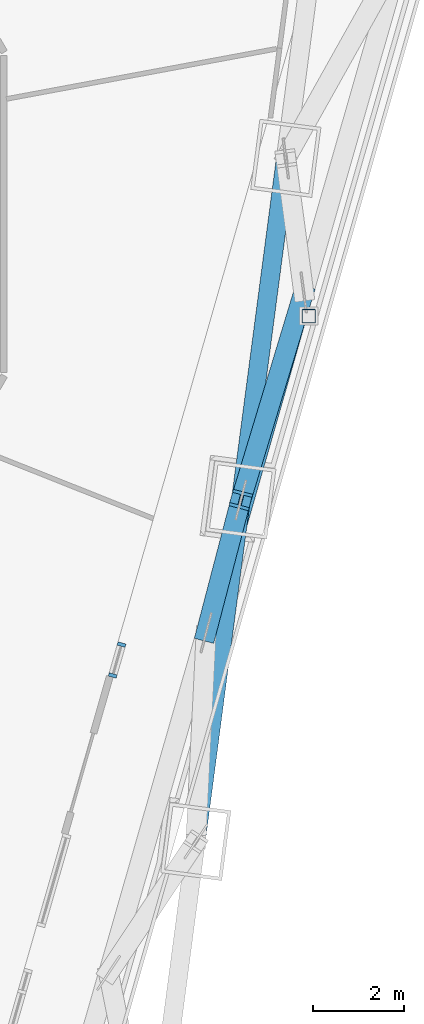
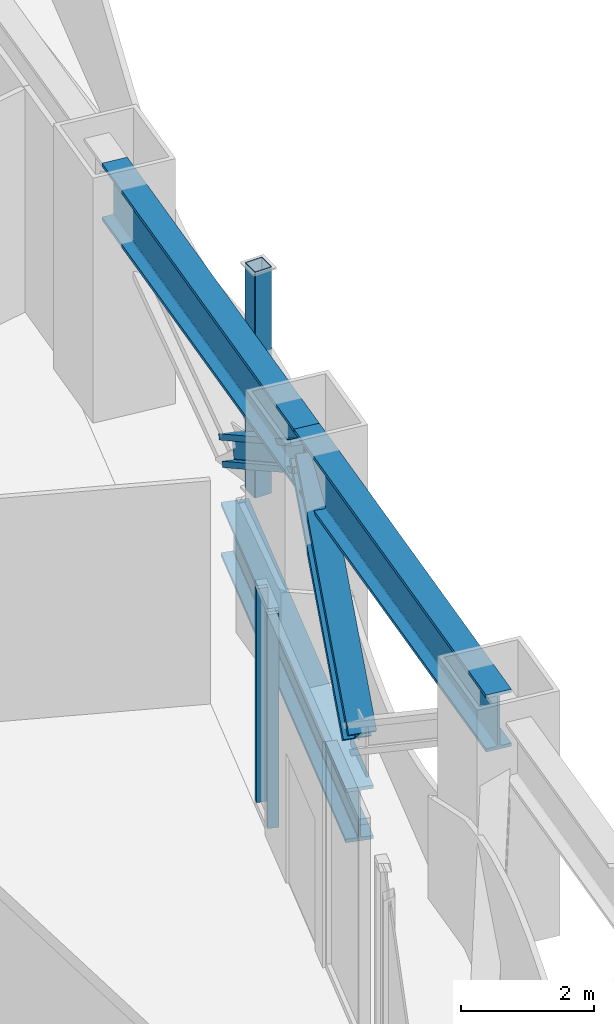
# One storey, part 3 of 26: 8 members, 1 element without a shape of its own.
"""IFC4 building model written with IfcOpenShell, lengths in metres."""

from ifc_helpers import new_model, si_unit, direction, frame, origin, origin_2d, place, context, subcontext, project, spatial, rectangle, hollow_rectangle, i_section, extrude, material, layer, layer_set, material_profile, profile_set, type_object, element, aggregate, save


model = new_model("IFC4")

# Units and contexts
model_context = context("Model", 3, precision=1e-05, world=origin(), true_north=direction((0.0, 1.0)))
body_context = subcontext(model_context, "Body", "Model", "MODEL_VIEW")
ifc_project = project(units=[si_unit("LENGTHUNIT", "METRE"), si_unit("AREAUNIT", "SQUARE_METRE"), si_unit("VOLUMEUNIT", "CUBIC_METRE"), si_unit("PLANEANGLEUNIT", "RADIAN"), si_unit("MASSUNIT", "GRAM", prefix="KILO")], contexts=[model_context])

# Site, building, storey
site_placement = place(None, origin())
site = spatial("IfcSite", under=ifc_project, at=site_placement, CompositionType="ELEMENT")
building_placement = place(site_placement, origin())
building = spatial("IfcBuilding", under=site, at=building_placement, Name="Trine Commons Tower", CompositionType="ELEMENT")
storey_placement = place(building_placement, frame((0.0, 0.0, 119.699951171875)))
storey = spatial("IfcBuildingStorey", under=building, at=storey_placement, Name="L30", CompositionType="ELEMENT", Elevation=119.699951171875)

# Curtain wall, members
ifc_material_1 = material(Name="Sky lounge glazing: anodised aluminium frame with low-emissivity double glazed unit, solar control", Category="aluminium")
ifc_layer = layer(ifc_material_1, 0.179931640625)
ifc_layer_set = layer_set([ifc_layer], Name="Sky lounge glazing: anodised aluminium frame with low-emissivity double glazed unit, solar control")
curtain_wall_type = type_object("IfcCurtainWallType", Name="Sky lounge glazing curtain wall CW5", PredefinedType="NOTDEFINED", material=ifc_layer_set)
curtain_wall_placement = place(storey_placement, origin())
curtain_wall = element("IfcCurtainWall", 1, at=curtain_wall_placement, inside=storey, type_object=curtain_wall_type, Name="Sky lounge glazing L30 F2.1", PredefinedType="NOTDEFINED")
ifc_material_2 = material(Name="Anodised aluminium, bronze finish", Category="aluminium")
ifc_material_profile_1 = material_profile(ifc_material_2, rectangle(XDim=0.179931640625, YDim=0.074951171875, at=origin_2d()), Name="Mullion 75x180")
ifc_profile_set_1 = profile_set([ifc_material_profile_1], Name="Anodised aluminium, bronze finish")
member_type_1 = type_object("IfcMemberType", Name="Mullion 75x180, Anodised aluminium, bronze finish", PredefinedType="MULLION", material=ifc_profile_set_1)
member_1_placement = place(storey_placement, frame((96.080078125, 53.06103515625, 0.110107421875), z_axis=(0.0, 0.0, 1.0), x_axis=(0.961261695938, -0.275637355817, 0.0)))
member_1 = element("IfcMember", 2, at=member_1_placement, type_object=member_type_1, Name="CW5 mullion 1.1", PredefinedType="MULLION", context=body_context, shape_type="SweptSolid", body=[
    extrude(rectangle(XDim=0.179931640625, YDim=0.074951171875, at=origin_2d()), origin(), (0.0, 0.0, 1.0), 3.929931640625),
])
member_2_placement = place(storey_placement, frame((95.885986328125, 52.38427734375, 0.110107421875), z_axis=(0.0, 0.0, 1.0), x_axis=(0.961261695938, -0.275637355817, 0.0)))
member_2 = element("IfcMember", 3, at=member_2_placement, type_object=member_type_1, Name="CW5 mullion 2.1", PredefinedType="MULLION", context=body_context, shape_type="SweptSolid", body=[
    extrude(rectangle(XDim=0.179931640625, YDim=0.074951171875, at=origin_2d()), origin(), (0.0, 0.0, 1.0), 3.929931640625),
])
aggregate(curtain_wall, [member_1, member_2])

# Members
ifc_material_3 = material(Name="Structural steel ASTM A992 Gr50", Category="steel")
ifc_material_profile_2 = material_profile(ifc_material_3, i_section(OverallWidth=0.43798828125, OverallDepth=0.514404296875, WebThickness=0.060546875, FlangeThickness=0.096923828125, FilletRadius=0.015380859375, at=origin_2d()), Name="W14X550")
ifc_profile_set_2 = profile_set([ifc_material_profile_2], Name="Structural steel ASTM A992 Gr50")
member_type_2 = type_object("IfcMemberType", Name="Steel brace W14X550, ASTM A992 Gr50", PredefinedType="BRACE", material=ifc_profile_set_2)
member_3_placement = place(storey_placement, frame((97.93408203125, 53.322509765625, 0.49365234375), z_axis=(0.175235434536, 0.669786272569, 0.721580828155), x_axis=(-0.967437605275, 0.253109620322, 0.0)))
element("IfcMember", 4, at=member_3_placement, inside=storey, type_object=member_type_2, Name="Transfer truss brace T3-DG-41", PredefinedType="BRACE", context=body_context, shape_type="SweptSolid", body=[
    extrude(i_section(OverallWidth=0.43798828125, OverallDepth=0.514404296875, WebThickness=0.060546875, FlangeThickness=0.096923828125, FilletRadius=0.015380859375, at=origin_2d()), origin(), (0.0, 0.0, 1.0), 4.34130859375),
])
member_4_placement = place(storey_placement, frame((100.072265625, 60.779541015625, 0.49365234375), z_axis=(-0.241967110589, -0.799151921078, 0.550280041824), x_axis=(0.95709090442, -0.289787854606, 0.0)))
element("IfcMember", 5, at=member_4_placement, inside=storey, type_object=member_type_2, Name="Transfer truss brace T3-DG-42", PredefinedType="BRACE", context=body_context, shape_type="SweptSolid", body=[
    extrude(i_section(OverallWidth=0.43798828125, OverallDepth=0.514404296875, WebThickness=0.060546875, FlangeThickness=0.096923828125, FilletRadius=0.015380859375, at=origin_2d()), origin(), (0.0, 0.0, 1.0), 5.692626953125),
])
ifc_material_profile_3 = material_profile(ifc_material_3, i_section(OverallWidth=0.431884765625, OverallDepth=0.9873046875, WebThickness=0.034423828125, FlangeThickness=0.06201171875, FilletRadius=0.024169921875, at=origin_2d()), Name="W36X441")
ifc_profile_set_3 = profile_set([ifc_material_profile_3], Name="Structural steel ASTM A992 Gr50")
member_type_3 = type_object("IfcMemberType", Name="Steel chord W36X441, ASTM A992 Gr50", PredefinedType="CHORD", material=ifc_profile_set_3)
member_5_placement = place(storey_placement, frame((100.072265625, 60.779541015625, -0.943603515625), z_axis=(-0.275627146761, -0.961264623279, 0.0), x_axis=(0.961264623279, -0.275627146761, 0.0)))
element("IfcMember", 6, at=member_5_placement, inside=storey, type_object=member_type_3, Name="Transfer truss chord T3-LC-18", PredefinedType="CHORD", context=body_context, shape_type="SweptSolid", body=[
    extrude(i_section(OverallWidth=0.431884765625, OverallDepth=0.9873046875, WebThickness=0.034423828125, FlangeThickness=0.06201171875, FilletRadius=0.024169921875, at=origin_2d()), origin(), (0.0, 0.0, 1.0), 7.757568359375),
])
ifc_material_profile_4 = material_profile(ifc_material_3, i_section(OverallWidth=0.412841796875, OverallDepth=1.0478515625, WebThickness=0.033935546875, FlangeThickness=0.059814453125, FilletRadius=0.030029296875, at=origin_2d()), Name="W40X431")
ifc_profile_set_4 = profile_set([ifc_material_profile_4], Name="Structural steel ASTM A992 Gr50")
member_type_4 = type_object("IfcMemberType", Name="Steel chord W40X431, ASTM A992 Gr50", PredefinedType="CHORD", material=ifc_profile_set_4)
for number, where, z_axis, x_axis, name in (
    (7, (99.680419921875, 63.717529296875, 3.626220703125), (-0.130509706106, -0.991447031672, 0.0), (0.991447031672, -0.130509706106, 0.0), "Transfer truss chord T3-UC-18"),
    (8, (98.69482421875, 56.230224609375, 3.626220703125), (-0.130541483651, -0.991442848099, 0.0), (0.991442848099, -0.130541483651, 0.0), "Transfer truss chord T3-UC-19"),
):
    element("IfcMember", number, at=place(storey_placement, frame(where, z_axis=z_axis, x_axis=x_axis)), inside=storey, type_object=member_type_4, Name=name, PredefinedType="CHORD", context=body_context, shape_type="SweptSolid", body=[
        extrude(i_section(OverallWidth=0.412841796875, OverallDepth=1.0478515625, WebThickness=0.033935546875, FlangeThickness=0.059814453125, FilletRadius=0.030029296875, at=origin_2d()), origin(), (0.0, 0.0, 1.0), 7.552001953125),
    ])
ifc_material_4 = material(Name="Structural steel ASTM A500 Gr C", Category="steel")
ifc_material_profile_5 = material_profile(ifc_material_4, hollow_rectangle(XDim=0.3046875, YDim=0.3046875, WallThickness=0.014892578125, InnerFilletRadius=0.00732421875, OuterFilletRadius=0.022216796875, at=origin_2d()), Name="HSS12X12X5/8")
ifc_profile_set_5 = profile_set([ifc_material_profile_5], Name="Structural steel ASTM A500 Gr C")
member_type_5 = type_object("IfcMemberType", Name="Steel post HSS12X12X5/8, ASTM A500 Gr C", PredefinedType="POST", material=ifc_profile_set_5)
member_6_placement = place(storey_placement, frame((100.18359375, 60.260986328125, 0.0), z_axis=(0.0, 0.0, 1.0), x_axis=(1.0, 0.0, 0.0)))
element("IfcMember", 9, at=member_6_placement, inside=storey, type_object=member_type_5, Name="Roof post SP3-64", PredefinedType="POST", context=body_context, shape_type="SweptSolid", body=[
    extrude(hollow_rectangle(XDim=0.3046875, YDim=0.3046875, WallThickness=0.014892578125, InnerFilletRadius=0.00732421875, OuterFilletRadius=0.022216796875, at=origin_2d()), origin(), (0.0, 0.0, 1.0), 4.150146484375),
])

save(model, "model.ifc")
